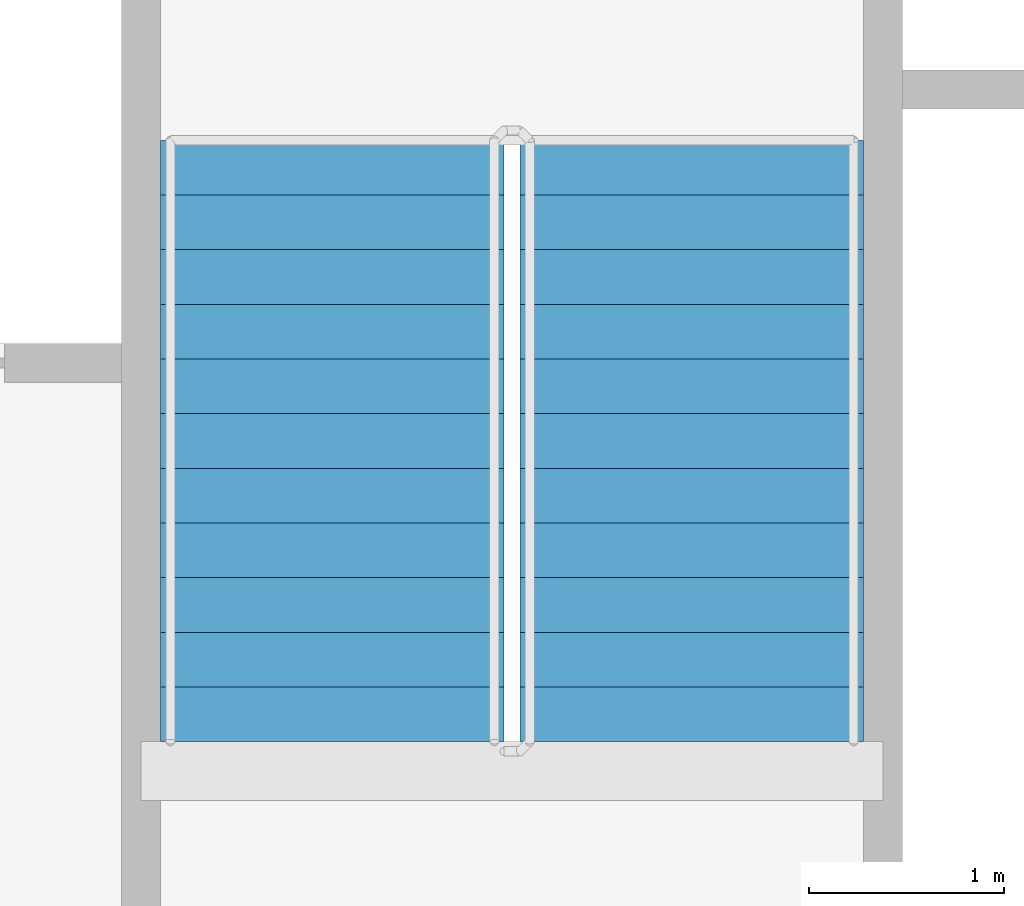
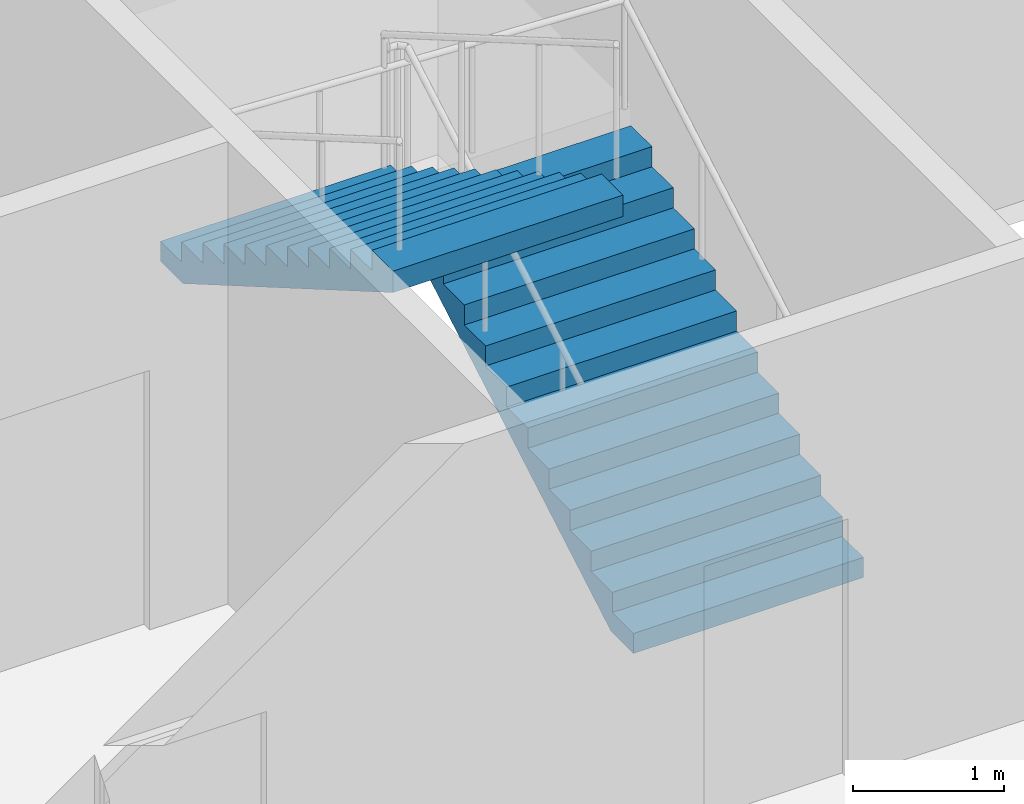
# One storey, part 9 of 14: 2 stair flights, 1 element without a shape of its own.
"""IFC4 building model written with IfcOpenShell, lengths in metres."""

from ifc_helpers import new_model, si_unit, direction, frame, origin, place, context, subcontext, project, spatial, faceted_brep, material, type_object, element, aggregate, save


model = new_model("IFC4")

# Units and contexts
model_context = context("Model", 3, precision=1e-05, world=origin(), true_north=direction((0.0, 1.0)))
body_context = subcontext(model_context, "Body", "Model", "MODEL_VIEW")
ifc_project = project(units=[si_unit("LENGTHUNIT", "METRE"), si_unit("AREAUNIT", "SQUARE_METRE"), si_unit("VOLUMEUNIT", "CUBIC_METRE"), si_unit("PLANEANGLEUNIT", "RADIAN"), si_unit("MASSUNIT", "GRAM", prefix="KILO")], contexts=[model_context])

# Site, building, storey
site_placement = place(None, origin())
site = spatial("IfcSite", under=ifc_project, at=site_placement, CompositionType="ELEMENT")
building_placement = place(site_placement, origin())
building = spatial("IfcBuilding", under=site, at=building_placement, Name="Tarsis Ring Headquarters", CompositionType="ELEMENT")
storey_placement = place(building_placement, frame((0.0, 0.0, 266.89990234375)))
storey = spatial("IfcBuildingStorey", under=building, at=storey_placement, Name="L62", CompositionType="ELEMENT", Elevation=266.89990234375)

# Stair, stair flights
ifc_material_1 = material(Name="Core stair 1760")
stair_type = type_object("IfcStairType", Name="Core stair 1760", PredefinedType="HALF_TURN_STAIR", material=ifc_material_1)
stair_placement = place(storey_placement, origin())
stair = element("IfcStair", 1, at=stair_placement, inside=storey, type_object=stair_type, Name="L62 Exit stair B", PredefinedType="HALF_TURN_STAIR")
ifc_material_2 = material(Name="Concrete C40/50", Category="concrete")
stair_flight_type = type_object("IfcStairFlightType", Name="Core stair flight 1760", PredefinedType="STRAIGHT", material=ifc_material_2)
stair_flight_1_placement = place(storey_placement, frame((5.419921875, 3.659912109375, 0.0), z_axis=(0.0, 0.0, 1.0), x_axis=(0.0, 1.0, 0.0)))
stair_flight_1 = element("IfcStairFlight", 2, at=stair_flight_1_placement, type_object=stair_flight_type, Name="Stair ST2 flight 1", NumberOfRisers=12, NumberOfTreads=11, PredefinedType="STRAIGHT", RiserHeight=0.1625, TreadLength=0.28, context=body_context, shape_type="Brep", body=[
    faceted_brep([(0.0, 0.8798828125, 0.0), (0.0, 0.8798828125, 0.16259765625), (0.280029296875, 0.8798828125, 0.16259765625), (0.280029296875, 0.8798828125, 0.324951171875), (0.56005859375, 0.8798828125, 0.324951171875), (0.56005859375, 0.8798828125, 0.487548828125), (0.840087890625, 0.8798828125, 0.487548828125), (0.840087890625, 0.8798828125, 0.64990234375), (1.1201171875, 0.8798828125, 0.64990234375), (1.1201171875, 0.8798828125, 0.8125), (1.39990234375, 0.8798828125, 0.8125), (1.39990234375, 0.8798828125, 0.97509765625), (1.679931640625, 0.8798828125, 0.97509765625), (1.679931640625, 0.8798828125, 1.137451171875), (1.9599609375, 0.8798828125, 1.137451171875), (1.9599609375, 0.8798828125, 1.300048828125), (2.239990234375, 0.8798828125, 1.300048828125), (2.239990234375, 0.8798828125, 1.46240234375), (2.52001953125, 0.8798828125, 1.46240234375), (2.52001953125, 0.8798828125, 1.625), (2.800048828125, 0.8798828125, 1.625), (2.800048828125, 0.8798828125, 1.78759765625), (3.080078125, 0.8798828125, 1.78759765625), (3.080078125, 0.8798828125, 1.6142578125), (0.298583984375, 0.8798828125, 0.0), (0.298583984375, -0.8798828125, 0.0), (3.080078125, -0.8798828125, 1.6142578125), (3.080078125, -0.8798828125, 1.78759765625), (2.800048828125, -0.8798828125, 1.78759765625), (2.800048828125, -0.8798828125, 1.625), (2.52001953125, -0.8798828125, 1.625), (2.52001953125, -0.8798828125, 1.46240234375), (2.239990234375, -0.8798828125, 1.46240234375), (2.239990234375, -0.8798828125, 1.300048828125), (1.9599609375, -0.8798828125, 1.300048828125), (1.9599609375, -0.8798828125, 1.137451171875), (1.679931640625, -0.8798828125, 1.137451171875), (1.679931640625, -0.8798828125, 0.97509765625), (1.39990234375, -0.8798828125, 0.97509765625), (1.39990234375, -0.8798828125, 0.8125), (1.1201171875, -0.8798828125, 0.8125), (1.1201171875, -0.8798828125, 0.64990234375), (0.840087890625, -0.8798828125, 0.64990234375), (0.840087890625, -0.8798828125, 0.487548828125), (0.56005859375, -0.8798828125, 0.487548828125), (0.56005859375, -0.8798828125, 0.324951171875), (0.280029296875, -0.8798828125, 0.324951171875), (0.280029296875, -0.8798828125, 0.16259765625), (0.0, -0.8798828125, 0.16259765625), (0.0, -0.8798828125, 0.0), (0.0, -0.43994140625, 0.16259765625), (0.0, -0.43994140625, 0.0), (0.0, 0.0, 0.16259765625), (0.0, 0.0, 0.0), (0.0, 0.43994140625, 0.16259765625), (0.0, 0.43994140625, 0.0), (0.280029296875, -0.43994140625, 0.16259765625), (0.280029296875, 0.0, 0.16259765625), (0.280029296875, 0.43994140625, 0.16259765625), (0.280029296875, -0.43994140625, 0.324951171875), (0.280029296875, 0.0, 0.324951171875), (0.280029296875, 0.43994140625, 0.324951171875), (0.56005859375, -0.43994140625, 0.324951171875), (0.56005859375, 0.0, 0.324951171875), (0.56005859375, 0.43994140625, 0.324951171875), (0.56005859375, -0.43994140625, 0.487548828125), (0.56005859375, 0.0, 0.487548828125), (0.56005859375, 0.43994140625, 0.487548828125), (0.840087890625, -0.43994140625, 0.487548828125), (0.840087890625, 0.0, 0.487548828125), (0.840087890625, 0.43994140625, 0.487548828125), (0.840087890625, -0.43994140625, 0.64990234375), (0.840087890625, 0.0, 0.64990234375), (0.840087890625, 0.43994140625, 0.64990234375), (1.1201171875, -0.43994140625, 0.64990234375), (1.1201171875, 0.0, 0.64990234375), (1.1201171875, 0.43994140625, 0.64990234375), (1.1201171875, -0.43994140625, 0.8125), (1.1201171875, 0.0, 0.8125), (1.1201171875, 0.43994140625, 0.8125), (1.39990234375, -0.43994140625, 0.8125), (1.39990234375, 0.0, 0.8125), (1.39990234375, 0.43994140625, 0.8125), (1.39990234375, -0.43994140625, 0.97509765625), (1.39990234375, 0.0, 0.97509765625), (1.39990234375, 0.43994140625, 0.97509765625), (1.679931640625, -0.43994140625, 0.97509765625), (1.679931640625, 0.0, 0.97509765625), (1.679931640625, 0.43994140625, 0.97509765625), (1.679931640625, -0.43994140625, 1.137451171875), (1.679931640625, 0.0, 1.137451171875), (1.679931640625, 0.43994140625, 1.137451171875), (1.9599609375, -0.43994140625, 1.137451171875), (1.9599609375, 0.0, 1.137451171875), (1.9599609375, 0.43994140625, 1.137451171875), (1.9599609375, -0.43994140625, 1.300048828125), (1.9599609375, 0.0, 1.300048828125), (1.9599609375, 0.43994140625, 1.300048828125), (2.239990234375, -0.43994140625, 1.300048828125), (2.239990234375, 0.0, 1.300048828125), (2.239990234375, 0.43994140625, 1.300048828125), (2.239990234375, -0.43994140625, 1.46240234375), (2.239990234375, 0.0, 1.46240234375), (2.239990234375, 0.43994140625, 1.46240234375), (2.52001953125, -0.43994140625, 1.46240234375), (2.52001953125, 0.0, 1.46240234375), (2.52001953125, 0.43994140625, 1.46240234375), (2.52001953125, -0.43994140625, 1.625), (2.52001953125, 0.0, 1.625), (2.52001953125, 0.43994140625, 1.625), (2.800048828125, -0.43994140625, 1.625), (2.800048828125, 0.0, 1.625), (2.800048828125, 0.43994140625, 1.625), (2.800048828125, -0.43994140625, 1.78759765625), (2.800048828125, 0.0, 1.78759765625), (2.800048828125, 0.43994140625, 1.78759765625), (3.080078125, -0.43994140625, 1.78759765625), (3.080078125, 0.0, 1.78759765625), (3.080078125, 0.43994140625, 1.78759765625), (3.080078125, -0.43994140625, 1.6142578125), (3.080078125, 0.0, 1.6142578125), (3.080078125, 0.43994140625, 1.6142578125), (0.298583984375, -0.43994140625, 0.0), (0.298583984375, 0.0, 0.0), (0.298583984375, 0.43994140625, 0.0)], [[[0, 1, 2, 3, 4, 5, 6, 7, 8, 9, 10, 11, 12, 13, 14, 15, 16, 17, 18, 19, 20, 21, 22, 23, 24]], [[25, 26, 27, 28, 29, 30, 31, 32, 33, 34, 35, 36, 37, 38, 39, 40, 41, 42, 43, 44, 45, 46, 47, 48, 49]], [[49, 48, 50, 51]], [[51, 50, 52, 53]], [[53, 52, 54, 55]], [[55, 54, 1, 0]], [[48, 47, 56, 50]], [[50, 56, 57, 52]], [[52, 57, 58, 54]], [[54, 58, 2, 1]], [[47, 46, 59, 56]], [[56, 59, 60, 57]], [[57, 60, 61, 58]], [[58, 61, 3, 2]], [[46, 45, 62, 59]], [[59, 62, 63, 60]], [[60, 63, 64, 61]], [[61, 64, 4, 3]], [[45, 44, 65, 62]], [[62, 65, 66, 63]], [[63, 66, 67, 64]], [[64, 67, 5, 4]], [[44, 43, 68, 65]], [[65, 68, 69, 66]], [[66, 69, 70, 67]], [[67, 70, 6, 5]], [[43, 42, 71, 68]], [[68, 71, 72, 69]], [[69, 72, 73, 70]], [[70, 73, 7, 6]], [[42, 41, 74, 71]], [[71, 74, 75, 72]], [[72, 75, 76, 73]], [[73, 76, 8, 7]], [[41, 40, 77, 74]], [[74, 77, 78, 75]], [[75, 78, 79, 76]], [[76, 79, 9, 8]], [[40, 39, 80, 77]], [[77, 80, 81, 78]], [[78, 81, 82, 79]], [[79, 82, 10, 9]], [[39, 38, 83, 80]], [[80, 83, 84, 81]], [[81, 84, 85, 82]], [[82, 85, 11, 10]], [[38, 37, 86, 83]], [[83, 86, 87, 84]], [[84, 87, 88, 85]], [[85, 88, 12, 11]], [[37, 36, 89, 86]], [[86, 89, 90, 87]], [[87, 90, 91, 88]], [[88, 91, 13, 12]], [[36, 35, 92, 89]], [[89, 92, 93, 90]], [[90, 93, 94, 91]], [[91, 94, 14, 13]], [[35, 34, 95, 92]], [[92, 95, 96, 93]], [[93, 96, 97, 94]], [[94, 97, 15, 14]], [[34, 33, 98, 95]], [[95, 98, 99, 96]], [[96, 99, 100, 97]], [[97, 100, 16, 15]], [[33, 32, 101, 98]], [[98, 101, 102, 99]], [[99, 102, 103, 100]], [[100, 103, 17, 16]], [[32, 31, 104, 101]], [[101, 104, 105, 102]], [[102, 105, 106, 103]], [[103, 106, 18, 17]], [[31, 30, 107, 104]], [[104, 107, 108, 105]], [[105, 108, 109, 106]], [[106, 109, 19, 18]], [[30, 29, 110, 107]], [[107, 110, 111, 108]], [[108, 111, 112, 109]], [[109, 112, 20, 19]], [[29, 28, 113, 110]], [[110, 113, 114, 111]], [[111, 114, 115, 112]], [[112, 115, 21, 20]], [[28, 27, 116, 113]], [[113, 116, 117, 114]], [[114, 117, 118, 115]], [[115, 118, 22, 21]], [[27, 26, 119, 116]], [[116, 119, 120, 117]], [[117, 120, 121, 118]], [[118, 121, 23, 22]], [[26, 25, 122, 119]], [[119, 122, 123, 120]], [[120, 123, 124, 121]], [[121, 124, 24, 23]], [[25, 49, 51, 122]], [[122, 51, 53, 123]], [[123, 53, 55, 124]], [[124, 55, 0, 24]]]),
])
stair_flight_2_placement = place(storey_placement, frame((3.580078125, 6.739990234375, 1.9501953125), z_axis=(0.0, 0.0, 1.0), x_axis=(0.0, -1.0, 0.0)))
stair_flight_2 = element("IfcStairFlight", 3, at=stair_flight_2_placement, type_object=stair_flight_type, Name="Stair ST2 flight 2", NumberOfRisers=12, NumberOfTreads=11, PredefinedType="STRAIGHT", RiserHeight=0.1625, TreadLength=0.28, context=body_context, shape_type="Brep", body=[
    faceted_brep([(0.0, 0.8798828125, 0.0), (0.0, 0.8798828125, 0.16259765625), (0.280029296875, 0.8798828125, 0.16259765625), (0.280029296875, 0.8798828125, 0.324951171875), (0.56005859375, 0.8798828125, 0.324951171875), (0.56005859375, 0.8798828125, 0.487548828125), (0.840087890625, 0.8798828125, 0.487548828125), (0.840087890625, 0.8798828125, 0.64990234375), (1.1201171875, 0.8798828125, 0.64990234375), (1.1201171875, 0.8798828125, 0.8125), (1.39990234375, 0.8798828125, 0.8125), (1.39990234375, 0.8798828125, 0.97509765625), (1.679931640625, 0.8798828125, 0.97509765625), (1.679931640625, 0.8798828125, 1.137451171875), (1.9599609375, 0.8798828125, 1.137451171875), (1.9599609375, 0.8798828125, 1.300048828125), (2.239990234375, 0.8798828125, 1.300048828125), (2.239990234375, 0.8798828125, 1.46240234375), (2.52001953125, 0.8798828125, 1.46240234375), (2.52001953125, 0.8798828125, 1.625), (2.800048828125, 0.8798828125, 1.625), (2.800048828125, 0.8798828125, 1.78759765625), (3.080078125, 0.8798828125, 1.78759765625), (3.080078125, 0.8798828125, 1.6142578125), (0.298583984375, 0.8798828125, 0.0), (0.298583984375, -0.8798828125, 0.0), (3.080078125, -0.8798828125, 1.6142578125), (3.080078125, -0.8798828125, 1.78759765625), (2.800048828125, -0.8798828125, 1.78759765625), (2.800048828125, -0.8798828125, 1.625), (2.52001953125, -0.8798828125, 1.625), (2.52001953125, -0.8798828125, 1.46240234375), (2.239990234375, -0.8798828125, 1.46240234375), (2.239990234375, -0.8798828125, 1.300048828125), (1.9599609375, -0.8798828125, 1.300048828125), (1.9599609375, -0.8798828125, 1.137451171875), (1.679931640625, -0.8798828125, 1.137451171875), (1.679931640625, -0.8798828125, 0.97509765625), (1.39990234375, -0.8798828125, 0.97509765625), (1.39990234375, -0.8798828125, 0.8125), (1.1201171875, -0.8798828125, 0.8125), (1.1201171875, -0.8798828125, 0.64990234375), (0.840087890625, -0.8798828125, 0.64990234375), (0.840087890625, -0.8798828125, 0.487548828125), (0.56005859375, -0.8798828125, 0.487548828125), (0.56005859375, -0.8798828125, 0.324951171875), (0.280029296875, -0.8798828125, 0.324951171875), (0.280029296875, -0.8798828125, 0.16259765625), (0.0, -0.8798828125, 0.16259765625), (0.0, -0.8798828125, 0.0), (0.0, -0.43994140625, 0.16259765625), (0.0, -0.43994140625, 0.0), (0.0, 0.0, 0.16259765625), (0.0, 0.0, 0.0), (0.0, 0.43994140625, 0.16259765625), (0.0, 0.43994140625, 0.0), (0.280029296875, -0.43994140625, 0.16259765625), (0.280029296875, 0.0, 0.16259765625), (0.280029296875, 0.43994140625, 0.16259765625), (0.280029296875, -0.43994140625, 0.324951171875), (0.280029296875, 0.0, 0.324951171875), (0.280029296875, 0.43994140625, 0.324951171875), (0.56005859375, -0.43994140625, 0.324951171875), (0.56005859375, 0.0, 0.324951171875), (0.56005859375, 0.43994140625, 0.324951171875), (0.56005859375, -0.43994140625, 0.487548828125), (0.56005859375, 0.0, 0.487548828125), (0.56005859375, 0.43994140625, 0.487548828125), (0.840087890625, -0.43994140625, 0.487548828125), (0.840087890625, 0.0, 0.487548828125), (0.840087890625, 0.43994140625, 0.487548828125), (0.840087890625, -0.43994140625, 0.64990234375), (0.840087890625, 0.0, 0.64990234375), (0.840087890625, 0.43994140625, 0.64990234375), (1.1201171875, -0.43994140625, 0.64990234375), (1.1201171875, 0.0, 0.64990234375), (1.1201171875, 0.43994140625, 0.64990234375), (1.1201171875, -0.43994140625, 0.8125), (1.1201171875, 0.0, 0.8125), (1.1201171875, 0.43994140625, 0.8125), (1.39990234375, -0.43994140625, 0.8125), (1.39990234375, 0.0, 0.8125), (1.39990234375, 0.43994140625, 0.8125), (1.39990234375, -0.43994140625, 0.97509765625), (1.39990234375, 0.0, 0.97509765625), (1.39990234375, 0.43994140625, 0.97509765625), (1.679931640625, -0.43994140625, 0.97509765625), (1.679931640625, 0.0, 0.97509765625), (1.679931640625, 0.43994140625, 0.97509765625), (1.679931640625, -0.43994140625, 1.137451171875), (1.679931640625, 0.0, 1.137451171875), (1.679931640625, 0.43994140625, 1.137451171875), (1.9599609375, -0.43994140625, 1.137451171875), (1.9599609375, 0.0, 1.137451171875), (1.9599609375, 0.43994140625, 1.137451171875), (1.9599609375, -0.43994140625, 1.300048828125), (1.9599609375, 0.0, 1.300048828125), (1.9599609375, 0.43994140625, 1.300048828125), (2.239990234375, -0.43994140625, 1.300048828125), (2.239990234375, 0.0, 1.300048828125), (2.239990234375, 0.43994140625, 1.300048828125), (2.239990234375, -0.43994140625, 1.46240234375), (2.239990234375, 0.0, 1.46240234375), (2.239990234375, 0.43994140625, 1.46240234375), (2.52001953125, -0.43994140625, 1.46240234375), (2.52001953125, 0.0, 1.46240234375), (2.52001953125, 0.43994140625, 1.46240234375), (2.52001953125, -0.43994140625, 1.625), (2.52001953125, 0.0, 1.625), (2.52001953125, 0.43994140625, 1.625), (2.800048828125, -0.43994140625, 1.625), (2.800048828125, 0.0, 1.625), (2.800048828125, 0.43994140625, 1.625), (2.800048828125, -0.43994140625, 1.78759765625), (2.800048828125, 0.0, 1.78759765625), (2.800048828125, 0.43994140625, 1.78759765625), (3.080078125, -0.43994140625, 1.78759765625), (3.080078125, 0.0, 1.78759765625), (3.080078125, 0.43994140625, 1.78759765625), (3.080078125, -0.43994140625, 1.6142578125), (3.080078125, 0.0, 1.6142578125), (3.080078125, 0.43994140625, 1.6142578125), (0.298583984375, -0.43994140625, 0.0), (0.298583984375, 0.0, 0.0), (0.298583984375, 0.43994140625, 0.0)], [[[0, 1, 2, 3, 4, 5, 6, 7, 8, 9, 10, 11, 12, 13, 14, 15, 16, 17, 18, 19, 20, 21, 22, 23, 24]], [[25, 26, 27, 28, 29, 30, 31, 32, 33, 34, 35, 36, 37, 38, 39, 40, 41, 42, 43, 44, 45, 46, 47, 48, 49]], [[49, 48, 50, 51]], [[51, 50, 52, 53]], [[53, 52, 54, 55]], [[55, 54, 1, 0]], [[48, 47, 56, 50]], [[50, 56, 57, 52]], [[52, 57, 58, 54]], [[54, 58, 2, 1]], [[47, 46, 59, 56]], [[56, 59, 60, 57]], [[57, 60, 61, 58]], [[58, 61, 3, 2]], [[46, 45, 62, 59]], [[59, 62, 63, 60]], [[60, 63, 64, 61]], [[61, 64, 4, 3]], [[45, 44, 65, 62]], [[62, 65, 66, 63]], [[63, 66, 67, 64]], [[64, 67, 5, 4]], [[44, 43, 68, 65]], [[65, 68, 69, 66]], [[66, 69, 70, 67]], [[67, 70, 6, 5]], [[43, 42, 71, 68]], [[68, 71, 72, 69]], [[69, 72, 73, 70]], [[70, 73, 7, 6]], [[42, 41, 74, 71]], [[71, 74, 75, 72]], [[72, 75, 76, 73]], [[73, 76, 8, 7]], [[41, 40, 77, 74]], [[74, 77, 78, 75]], [[75, 78, 79, 76]], [[76, 79, 9, 8]], [[40, 39, 80, 77]], [[77, 80, 81, 78]], [[78, 81, 82, 79]], [[79, 82, 10, 9]], [[39, 38, 83, 80]], [[80, 83, 84, 81]], [[81, 84, 85, 82]], [[82, 85, 11, 10]], [[38, 37, 86, 83]], [[83, 86, 87, 84]], [[84, 87, 88, 85]], [[85, 88, 12, 11]], [[37, 36, 89, 86]], [[86, 89, 90, 87]], [[87, 90, 91, 88]], [[88, 91, 13, 12]], [[36, 35, 92, 89]], [[89, 92, 93, 90]], [[90, 93, 94, 91]], [[91, 94, 14, 13]], [[35, 34, 95, 92]], [[92, 95, 96, 93]], [[93, 96, 97, 94]], [[94, 97, 15, 14]], [[34, 33, 98, 95]], [[95, 98, 99, 96]], [[96, 99, 100, 97]], [[97, 100, 16, 15]], [[33, 32, 101, 98]], [[98, 101, 102, 99]], [[99, 102, 103, 100]], [[100, 103, 17, 16]], [[32, 31, 104, 101]], [[101, 104, 105, 102]], [[102, 105, 106, 103]], [[103, 106, 18, 17]], [[31, 30, 107, 104]], [[104, 107, 108, 105]], [[105, 108, 109, 106]], [[106, 109, 19, 18]], [[30, 29, 110, 107]], [[107, 110, 111, 108]], [[108, 111, 112, 109]], [[109, 112, 20, 19]], [[29, 28, 113, 110]], [[110, 113, 114, 111]], [[111, 114, 115, 112]], [[112, 115, 21, 20]], [[28, 27, 116, 113]], [[113, 116, 117, 114]], [[114, 117, 118, 115]], [[115, 118, 22, 21]], [[27, 26, 119, 116]], [[116, 119, 120, 117]], [[117, 120, 121, 118]], [[118, 121, 23, 22]], [[26, 25, 122, 119]], [[119, 122, 123, 120]], [[120, 123, 124, 121]], [[121, 124, 24, 23]], [[25, 49, 51, 122]], [[122, 51, 53, 123]], [[123, 53, 55, 124]], [[124, 55, 0, 24]]]),
])
aggregate(stair, [stair_flight_1, stair_flight_2])

save(model, "model.ifc")
